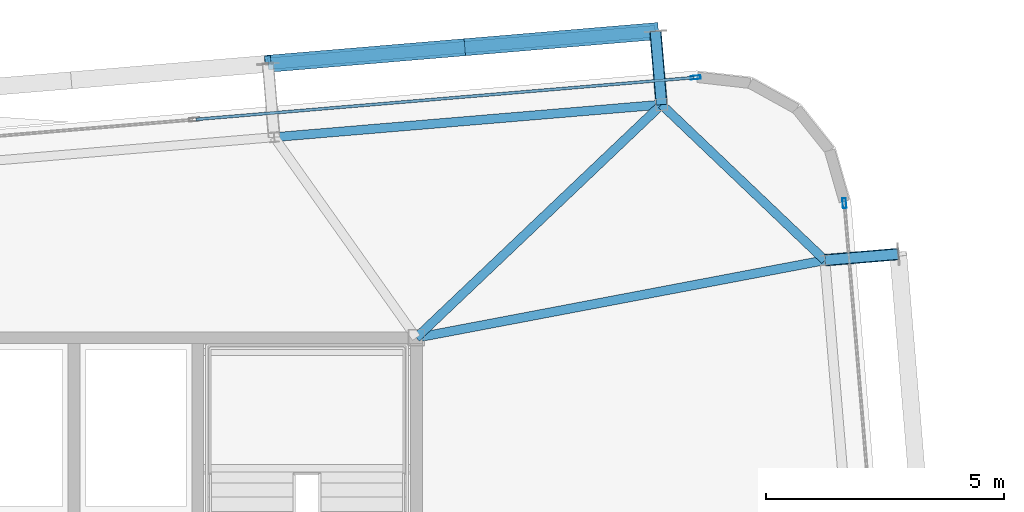
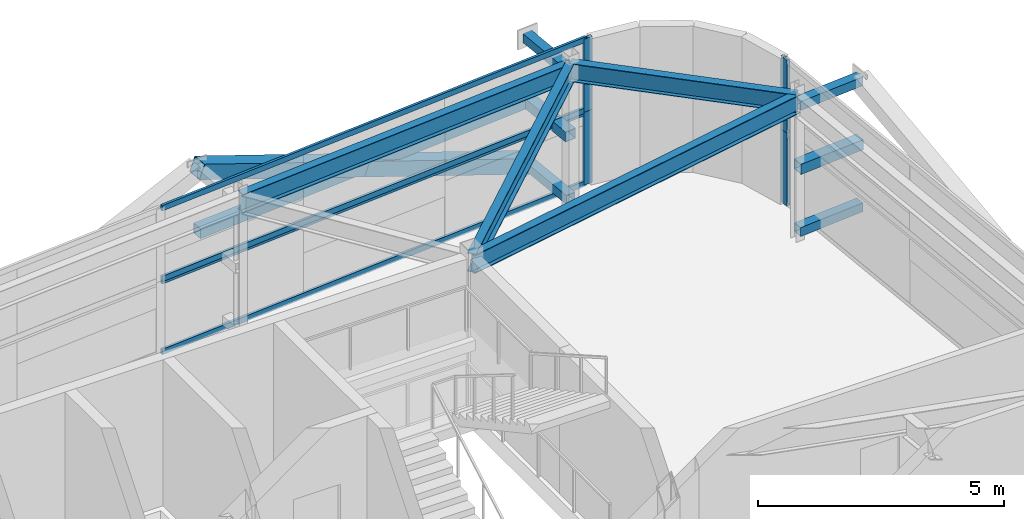
# One storey, part 22 of 38: 17 members, 4 beams, 4 elements without a shape of their own.
"""IFC4 building model written with IfcOpenShell, lengths in metres."""

from ifc_helpers import new_model, si_unit, direction, frame, origin, origin_2d, place, context, subcontext, project, spatial, hollow_rectangle, i_section, extrude, source, transform, mapped, material, layer, layer_set, material_profile, profile_set, type_object, element, aggregate, save


model = new_model("IFC4")

# Units and contexts
model_context = context("Model", 3, precision=1e-05, world=origin(), true_north=direction((0.0, 1.0)))
body_context = subcontext(model_context, "Body", "Model", "MODEL_VIEW")
ifc_project = project(units=[si_unit("LENGTHUNIT", "METRE"), si_unit("AREAUNIT", "SQUARE_METRE"), si_unit("VOLUMEUNIT", "CUBIC_METRE"), si_unit("PLANEANGLEUNIT", "RADIAN"), si_unit("MASSUNIT", "GRAM", prefix="KILO")], contexts=[model_context])

# Site, building, storey
site_placement = place(None, origin())
site = spatial("IfcSite", under=ifc_project, at=site_placement, CompositionType="ELEMENT")
building_placement = place(site_placement, origin())
building = spatial("IfcBuilding", under=site, at=building_placement, Name="Taldren Reach Tower", CompositionType="ELEMENT")
storey_placement = place(building_placement, frame((0.0, 0.0, 168.699951171875)))
storey = spatial("IfcBuildingStorey", under=building, at=storey_placement, Name="L51", CompositionType="ELEMENT", Elevation=168.699951171875)

# Member
ifc_material_1 = material(Name="Steel Gr 350 (C350L0)", Category="steel")
ifc_material_profile_1 = material_profile(ifc_material_1, hollow_rectangle(XDim=0.25, YDim=0.25, WallThickness=0.010009765625, at=origin_2d()), Name="250x250x10.0SHS")
ifc_profile_set_1 = profile_set([ifc_material_profile_1], Name="Steel Gr 350 (C350L0)")
member_type_1 = type_object("IfcMemberType", Name="MB-POST250", PredefinedType="POST", material=ifc_profile_set_1)
shared_shape_1 = source(origin(), body_context, "Body", "SweptSolid", [
    extrude(hollow_rectangle(XDim=0.25, YDim=0.25, WallThickness=0.010009765625, at=origin_2d()), origin(), (0.0, 0.0, 1.0), 1.5498046875),
])
member_1_placement = place(storey_placement, frame((56.160400390625, 36.906005859375, 1.78515625), z_axis=(-0.083645141657, 0.996495604746, 0.0), x_axis=(-0.996495604746, -0.083645141657, 0.0)))
element("IfcMember", 1, at=member_1_placement, inside=storey, type_object=member_type_1, Name="Exoskeleton mid-tier diaphragm tie B4-N6 L51", PredefinedType="POST", context=body_context, shape_type="MappedRepresentation", body=[
    mapped(shared_shape_1, transform((0.0, 0.0, 0.0), scale=1.0)),
])

# Beams
ifc_material_2 = material(Name="Steel Gr 350 (350PLUS)", Category="steel")
ifc_material_profile_2 = material_profile(ifc_material_2, i_section(OverallWidth=0.18994140625, OverallDepth=0.4541015625, WebThickness=0.008544921875, FlangeThickness=0.0126953125, at=origin_2d()), Name="460UB67.1")
ifc_profile_set_2 = profile_set([ifc_material_profile_2], Name="Steel Gr 350 (350PLUS)")
beam_type_1 = type_object("IfcBeamType", Name="SP-UB460B", PredefinedType="SPANDREL", material=ifc_profile_set_2)
shared_shape_2 = source(origin(), body_context, "Body", "SweptSolid", [
    extrude(i_section(OverallWidth=0.18994140625, OverallDepth=0.4541015625, WebThickness=0.008544921875, FlangeThickness=0.0126953125, at=origin_2d()), origin(), (0.0, 0.0, 1.0), 8.18017578125),
])
beam_1_placement = place(storey_placement, frame((56.160400390625, 36.906005859375, 3.403076171875), z_axis=(-0.996492034688, -0.083687662192, 0.0), x_axis=(0.083687662192, -0.996492034688, 0.0)))
element("IfcBeam", 2, at=beam_1_placement, inside=storey, type_object=beam_type_1, Name="Perimeter spandrel B4 N6-N5 L51", PredefinedType="SPANDREL", context=body_context, shape_type="MappedRepresentation", body=[
    mapped(shared_shape_2, transform((0.0, 0.0, 0.0), scale=1.0)),
])
shared_shape_3 = source(origin(), body_context, "Body", "SweptSolid", [
    extrude(i_section(OverallWidth=0.18994140625, OverallDepth=0.4541015625, WebThickness=0.008544921875, FlangeThickness=0.0126953125, at=origin_2d()), origin(), (0.0, 0.0, 1.0), 4.74609375),
])
beam_2_placement = place(storey_placement, frame((59.596435546875, 33.632080078125, 3.403076171875), z_axis=(-0.723978879349, 0.689822138132, 0.0), x_axis=(-0.689822138132, -0.723978879349, 0.0)))
element("IfcBeam", 3, at=beam_2_placement, inside=storey, type_object=beam_type_1, Name="Perimeter spandrel B4 E3-N6 L51", PredefinedType="SPANDREL", context=body_context, shape_type="MappedRepresentation", body=[
    mapped(shared_shape_3, transform((0.0, 0.0, 0.0), scale=1.0)),
])
ifc_material_profile_3 = material_profile(ifc_material_2, i_section(OverallWidth=0.19091796875, OverallDepth=0.4599609375, WebThickness=0.010009765625, FlangeThickness=0.01611328125, at=origin_2d()), Name="460UB82.1")
ifc_profile_set_3 = profile_set([ifc_material_profile_3], Name="Steel Gr 350 (350PLUS)")
beam_type_2 = type_object("IfcBeamType", Name="BM-UB460A", PredefinedType="BEAM", material=ifc_profile_set_3)
shared_shape_4 = source(origin(), body_context, "Body", "SweptSolid", [
    extrude(i_section(OverallWidth=0.19091796875, OverallDepth=0.4599609375, WebThickness=0.010009765625, FlangeThickness=0.01611328125, at=origin_2d()), origin(), (0.0, 0.0, 1.0), 8.75),
])
beam_3_placement = place(storey_placement, frame((51.0, 32.0, 3.400146484375), z_axis=(0.982450485799, 0.18652357211, 0.0), x_axis=(-0.18652357211, 0.982450485799, 0.0)))
element("IfcBeam", 4, at=beam_3_placement, inside=storey, type_object=beam_type_2, Name="Primary floor girder B4-E3 L51", PredefinedType="BEAM", context=body_context, shape_type="MappedRepresentation", body=[
    mapped(shared_shape_4, transform((0.0, 0.0, 0.0), scale=1.0)),
])
shared_shape_5 = source(origin(), body_context, "Body", "SweptSolid", [
    extrude(i_section(OverallWidth=0.19091796875, OverallDepth=0.4599609375, WebThickness=0.010009765625, FlangeThickness=0.01611328125, at=origin_2d()), origin(), (0.0, 0.0, 1.0), 7.120361328125),
])
beam_4_placement = place(storey_placement, frame((51.0, 32.0, 3.400146484375), z_axis=(0.724745130454, 0.689017050503, 0.0), x_axis=(-0.689017050503, 0.724745130454, 0.0)))
element("IfcBeam", 5, at=beam_4_placement, inside=storey, type_object=beam_type_2, Name="Primary floor girder B4-N6 L51", PredefinedType="BEAM", context=body_context, shape_type="MappedRepresentation", body=[
    mapped(shared_shape_5, transform((0.0, 0.0, 0.0), scale=1.0)),
])

# Members
ifc_material_3 = material(Name="Steel Gr 450 (C450L0)", Category="steel")
ifc_material_profile_4 = material_profile(ifc_material_3, hollow_rectangle(XDim=0.219970703125, YDim=0.219970703125, WallThickness=0.00830078125, at=origin_2d()), Name="220x220x8.2SHS")
ifc_profile_set_4 = profile_set([ifc_material_profile_4], Name="Steel Gr 450 (C450L0)")
member_type_2 = type_object("IfcMemberType", Name="MB-TIE219", PredefinedType="STRUT", material=ifc_profile_set_4)
shared_shape_6 = source(origin(), body_context, "Body", "SweptSolid", [
    extrude(hollow_rectangle(XDim=0.219970703125, YDim=0.219970703125, WallThickness=0.00830078125, at=origin_2d()), origin(), (0.0, 0.0, 1.0), 1.5498046875),
])
for number, where, z_axis, x_axis, name in (
    (6, (56.160400390625, 36.906005859375, 3.35009765625), (-0.083645141657, 0.996495604746, 0.0), (-0.996495604746, -0.083645141657, 0.0), "Exoskeleton diaphragm tie strut B4-N6 L51"),
    (7, (56.160400390625, 36.906005859375, 0.219970703125), (-0.083645141657, 0.996495604746, 0.0), (-0.996495604746, -0.083645141657, 0.0), "Exoskeleton base diaphragm tie strut B4-N6 L51"),
):
    element("IfcMember", number, at=place(storey_placement, frame(where, z_axis=z_axis, x_axis=x_axis)), inside=storey, type_object=member_type_2, Name=name, PredefinedType="STRUT", context=body_context, shape_type="MappedRepresentation", body=[
        mapped(shared_shape_6, transform((0.0, 0.0, 0.0), scale=1.0)),
    ])
shared_shape_7 = source(origin(), body_context, "Body", "SweptSolid", [
    extrude(hollow_rectangle(XDim=0.219970703125, YDim=0.219970703125, WallThickness=0.00830078125, at=origin_2d()), origin(), (0.0, 0.0, 1.0), 1.545166015625),
])
for number, where, z_axis, x_axis, name in (
    (8, (59.60107421875, 33.63232421875, 3.35009765625), (0.996487766615, 0.083738467783, 0.0), (-0.083738467783, 0.996487766615, 0.0), "Exoskeleton diaphragm tie strut B4-E3 L51"),
    (9, (59.60107421875, 33.63232421875, 0.219970703125), (0.996487766615, 0.083738467783, 0.0), (-0.083738467783, 0.996487766615, 0.0), "Exoskeleton base diaphragm tie strut B4-E3 L51"),
):
    element("IfcMember", number, at=place(storey_placement, frame(where, z_axis=z_axis, x_axis=x_axis)), inside=storey, type_object=member_type_2, Name=name, PredefinedType="STRUT", context=body_context, shape_type="MappedRepresentation", body=[
        mapped(shared_shape_7, transform((0.0, 0.0, 0.0), scale=1.0)),
    ])
ifc_material_profile_5 = material_profile(ifc_material_3, hollow_rectangle(XDim=0.360107421875, YDim=0.360107421875, WallThickness=0.0126953125, at=origin_2d()), Name="360x360x12.7SHS")
ifc_profile_set_5 = profile_set([ifc_material_profile_5], Name="Steel Gr 450 (C450L0)")
member_type_3 = type_object("IfcMemberType", Name="MB-EXO356", PredefinedType="BRACE", material=ifc_profile_set_5)
shared_shape_8 = source(origin(), body_context, "Body", "SweptSolid", [
    extrude(hollow_rectangle(XDim=0.360107421875, YDim=0.360107421875, WallThickness=0.0126953125, at=origin_2d()), origin(), (0.0, 0.0, 1.0), 4.379150390625),
])
for number, where, z_axis, x_axis, name in (
    (10, (56.03076171875, 38.450439453125, 0.219970703125), (-0.930676751098, -0.07810459616, 0.357407970007), (0.083628388178, -0.996497010879, 0.0), "Exoskeleton Diagrid Brace B4-N5 L51"),
    (11, (51.955078125, 38.1083984375, 1.78515625), (-0.930691240049, -0.078161562151, 0.357357784157), (0.083687662192, -0.996492034688, 0.0), "Exoskeleton Diagrid Brace B4-N5 L51"),
):
    element("IfcMember", number, at=place(storey_placement, frame(where, z_axis=z_axis, x_axis=x_axis)), inside=storey, type_object=member_type_3, Name=name, PredefinedType="BRACE", context=body_context, shape_type="MappedRepresentation", body=[
        mapped(shared_shape_8, transform((0.0, 0.0, 0.0), scale=1.0)),
    ])
shared_shape_9 = source(origin(), body_context, "Body", "SweptSolid", [
    extrude(hollow_rectangle(XDim=0.25, YDim=0.25, WallThickness=0.010009765625, at=origin_2d()), origin(), (0.0, 0.0, 1.0), 8.179931640625),
])
member_2_placement = place(storey_placement, frame((47.87939453125, 37.76611328125, 1.78515625), z_axis=(0.996494523218, 0.083658025296, 0.0), x_axis=(-0.083658025296, 0.996494523218, 0.0)))
element("IfcMember", 12, at=member_2_placement, inside=storey, type_object=member_type_1, Name="Exoskeleton mid-height ring chord B4-N5 L51", PredefinedType="POST", context=body_context, shape_type="MappedRepresentation", body=[
    mapped(shared_shape_9, transform((0.0, 0.0, 0.0), scale=1.0)),
])
shared_shape_10 = source(origin(), body_context, "Body", "SweptSolid", [
    extrude(hollow_rectangle(XDim=0.25, YDim=0.25, WallThickness=0.010009765625, at=origin_2d()), origin(), (0.0, 0.0, 1.0), 1.545166015625),
])
member_3_placement = place(storey_placement, frame((59.60107421875, 33.63232421875, 1.78515625), z_axis=(0.996487766615, 0.083738467783, 0.0), x_axis=(-0.083738467783, 0.996487766615, 0.0)))
element("IfcMember", 13, at=member_3_placement, inside=storey, type_object=member_type_1, Name="Exoskeleton mid-tier diaphragm tie B4-E3 L51", PredefinedType="POST", context=body_context, shape_type="MappedRepresentation", body=[
    mapped(shared_shape_10, transform((0.0, 0.0, 0.0), scale=1.0)),
])

# Curtain wall, member
ifc_material_4 = material(Name="Aluminium and Low-E Glass Unitised System", Category="aluminium")
ifc_layer = layer(ifc_material_4, 0.159912109375)
ifc_layer_set = layer_set([ifc_layer], Name="Aluminium and Low-E Glass Unitised System")
curtain_wall_type = type_object("IfcCurtainWallType", Name="CW-SYS-7", PredefinedType="NOTDEFINED", material=ifc_layer_set)
curtain_wall_1_placement = place(storey_placement, origin())
curtain_wall_1 = element("IfcCurtainWall", 14, at=curtain_wall_1_placement, inside=storey, type_object=curtain_wall_type, Name="Unitised curtain wall CW-L51-N", PredefinedType="NOTDEFINED")
ifc_material_5 = material(Name="Anodised Aluminium 6063-T6", Category="aluminium")
ifc_material_profile_6 = material_profile(ifc_material_5, hollow_rectangle(XDim=0.074951171875, YDim=0.2099609375, WallThickness=0.00439453125, at=origin_2d()), Name="ALU-210x75x4.5RHS")
ifc_profile_set_6 = profile_set([ifc_material_profile_6], Name="Anodised Aluminium 6063-T6")
member_type_4 = type_object("IfcMemberType", Name="CW-MUL-200", PredefinedType="MULLION", material=ifc_profile_set_6)
shared_shape_11 = source(origin(), body_context, "Body", "SweptSolid", [
    extrude(hollow_rectangle(XDim=0.074951171875, YDim=0.2099609375, WallThickness=0.00439453125, at=origin_2d()), origin(), (0.0, 0.0, 1.0), 1.81494140625),
])
member_4_placement = place(storey_placement, frame((56.87744140625, 37.47802734375, 0.0), z_axis=(0.0, 0.0, 1.0), x_axis=(0.083677875247, -0.99649285657, 0.0)))
member_4 = element("IfcMember", 15, at=member_4_placement, type_object=member_type_4, Name="CW-7 mullion 1", PredefinedType="MULLION", context=body_context, shape_type="MappedRepresentation", body=[
    mapped(shared_shape_11, transform((0.0, 0.0, 0.0), scale=1.0)),
])

curtain_wall_2_placement = place(storey_placement, origin())
curtain_wall_2 = element("IfcCurtainWall", 16, at=curtain_wall_2_placement, inside=storey, type_object=curtain_wall_type, Name="Unitised curtain wall CW-L51-E", PredefinedType="NOTDEFINED")
member_5_placement = place(storey_placement, frame((60.00732421875, 34.8330078125, 0.0), z_axis=(0.0, 0.0, 1.0), x_axis=(-0.996492847789, -0.083677979808, 0.0)))
member_5 = element("IfcMember", 17, at=member_5_placement, type_object=member_type_4, Name="CW-7 mullion 3", PredefinedType="MULLION", context=body_context, shape_type="MappedRepresentation", body=[
    mapped(shared_shape_11, transform((0.0, 0.0, 0.0), scale=1.0)),
])
aggregate(curtain_wall_2, [member_5])

curtain_wall_3_placement = place(storey_placement, origin())
curtain_wall_3 = element("IfcCurtainWall", 18, at=curtain_wall_3_placement, inside=storey, type_object=curtain_wall_type, Name="Unitised curtain wall CW-L51-N-T2", PredefinedType="NOTDEFINED")
shared_shape_12 = source(origin(), body_context, "Body", "SweptSolid", [
    extrude(hollow_rectangle(XDim=0.074951171875, YDim=0.2099609375, WallThickness=0.00439453125, at=origin_2d()), origin(), (0.0, 0.0, 1.0), 1.815185546875),
])
member_6_placement = place(storey_placement, frame((56.87744140625, 37.47802734375, 1.81494140625), z_axis=(0.0, 0.0, 1.0), x_axis=(0.083677875247, -0.99649285657, 0.0)))
member_6 = element("IfcMember", 19, at=member_6_placement, type_object=member_type_4, Name="CW-7 mullion 1", PredefinedType="MULLION", context=body_context, shape_type="MappedRepresentation", body=[
    mapped(shared_shape_12, transform((0.0, 0.0, 0.0), scale=1.0)),
])

curtain_wall_4_placement = place(storey_placement, origin())
curtain_wall_4 = element("IfcCurtainWall", 20, at=curtain_wall_4_placement, inside=storey, type_object=curtain_wall_type, Name="Unitised curtain wall CW-L51-E-T2", PredefinedType="NOTDEFINED")
member_7_placement = place(storey_placement, frame((60.00732421875, 34.8330078125, 1.81494140625), z_axis=(0.0, 0.0, 1.0), x_axis=(-0.996492847789, -0.083677979808, 0.0)))
member_7 = element("IfcMember", 21, at=member_7_placement, type_object=member_type_4, Name="CW-7 mullion 3", PredefinedType="MULLION", context=body_context, shape_type="MappedRepresentation", body=[
    mapped(shared_shape_12, transform((0.0, 0.0, 0.0), scale=1.0)),
])
aggregate(curtain_wall_4, [member_7])

# Member
ifc_material_profile_7 = material_profile(ifc_material_5, hollow_rectangle(XDim=0.06005859375, YDim=0.135009765625, WallThickness=0.00341796875, at=origin_2d()), Name="ALU-135x60x3.5RHS")
ifc_profile_set_7 = profile_set([ifc_material_profile_7], Name="Anodised Aluminium 6063-T6")
member_type_5 = type_object("IfcMemberType", Name="CW-TRN-150", PredefinedType="USERDEFINED", material=ifc_profile_set_7)
shared_shape_13 = source(origin(), body_context, "Body", "SweptSolid", [
    extrude(hollow_rectangle(XDim=0.06005859375, YDim=0.135009765625, WallThickness=0.00341796875, at=origin_2d()), origin(), (0.0, 0.0, 1.0), 10.512451171875),
])
member_8_placement = place(storey_placement, frame((56.840087890625, 37.474853515625, 0.030029296875), z_axis=(-0.996493024683, -0.083675873216, 0.0), x_axis=(0.083675873216, -0.996493024683, 0.0)))
member_8 = element("IfcMember", 22, at=member_8_placement, type_object=member_type_5, Name="CW-7 transom 1.1", ObjectType="TRANSOM", PredefinedType="USERDEFINED", context=body_context, shape_type="MappedRepresentation", body=[
    mapped(shared_shape_13, transform((0.0, 0.0, 0.0), scale=1.0)),
])

member_9_placement = place(storey_placement, frame((56.840087890625, 37.474853515625, 1.78515625), z_axis=(-0.996493024683, -0.083675873216, 0.0), x_axis=(0.083675873216, -0.996493024683, 0.0)))
member_9 = element("IfcMember", 23, at=member_9_placement, type_object=member_type_5, Name="CW-7 transom 1.2", ObjectType="TRANSOM", PredefinedType="USERDEFINED", context=body_context, shape_type="MappedRepresentation", body=[
    mapped(shared_shape_13, transform((0.0, 0.0, 0.0), scale=1.0)),
])

aggregate(curtain_wall_1, [member_4, member_8, member_9])

member_10_placement = place(storey_placement, frame((56.840087890625, 37.474853515625, 1.844970703125), z_axis=(-0.996493024683, -0.083675873216, 0.0), x_axis=(0.083675873216, -0.996493024683, 0.0)))
member_10 = element("IfcMember", 24, at=member_10_placement, type_object=member_type_5, Name="CW-7 transom 1.1", ObjectType="TRANSOM", PredefinedType="USERDEFINED", context=body_context, shape_type="MappedRepresentation", body=[
    mapped(shared_shape_13, transform((0.0, 0.0, 0.0), scale=1.0)),
])

member_11_placement = place(storey_placement, frame((56.840087890625, 37.474853515625, 3.60009765625), z_axis=(-0.996493024683, -0.083675873216, 0.0), x_axis=(0.083675873216, -0.996493024683, 0.0)))
member_11 = element("IfcMember", 25, at=member_11_placement, type_object=member_type_5, Name="CW-7 transom 1.2", ObjectType="TRANSOM", PredefinedType="USERDEFINED", context=body_context, shape_type="MappedRepresentation", body=[
    mapped(shared_shape_13, transform((0.0, 0.0, 0.0), scale=1.0)),
])

aggregate(curtain_wall_3, [member_6, member_10, member_11])

save(model, "model.ifc")
